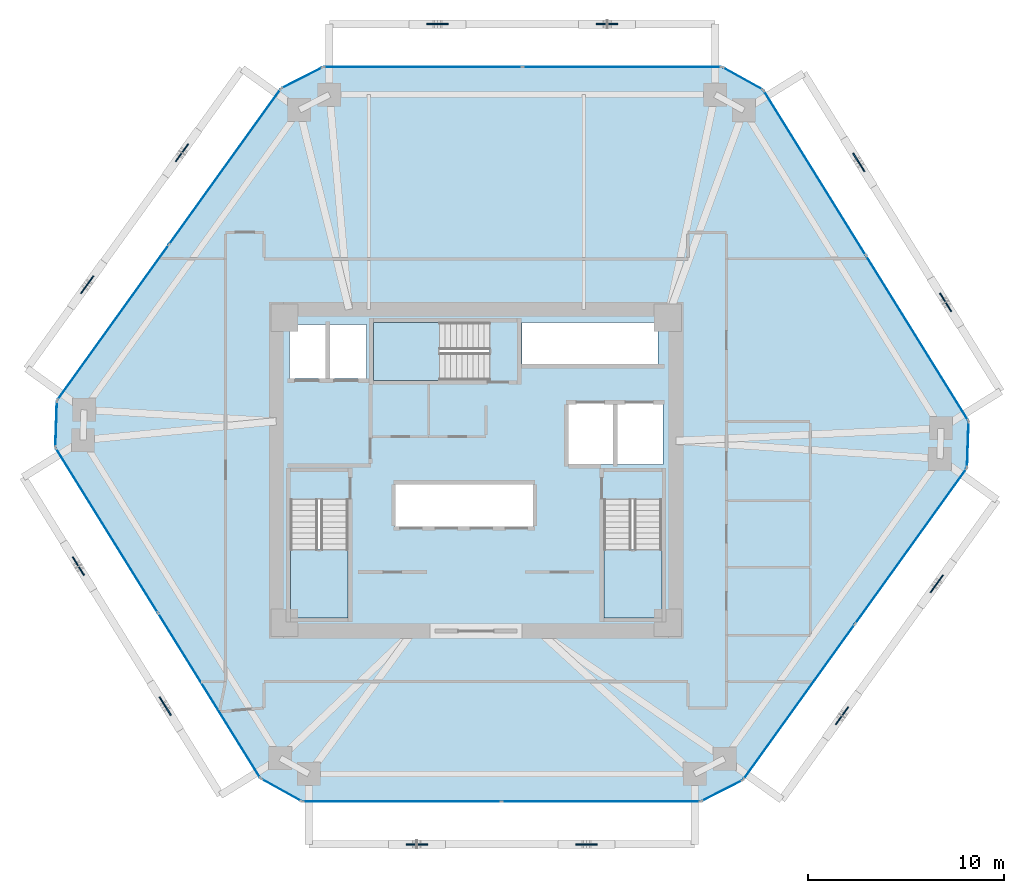
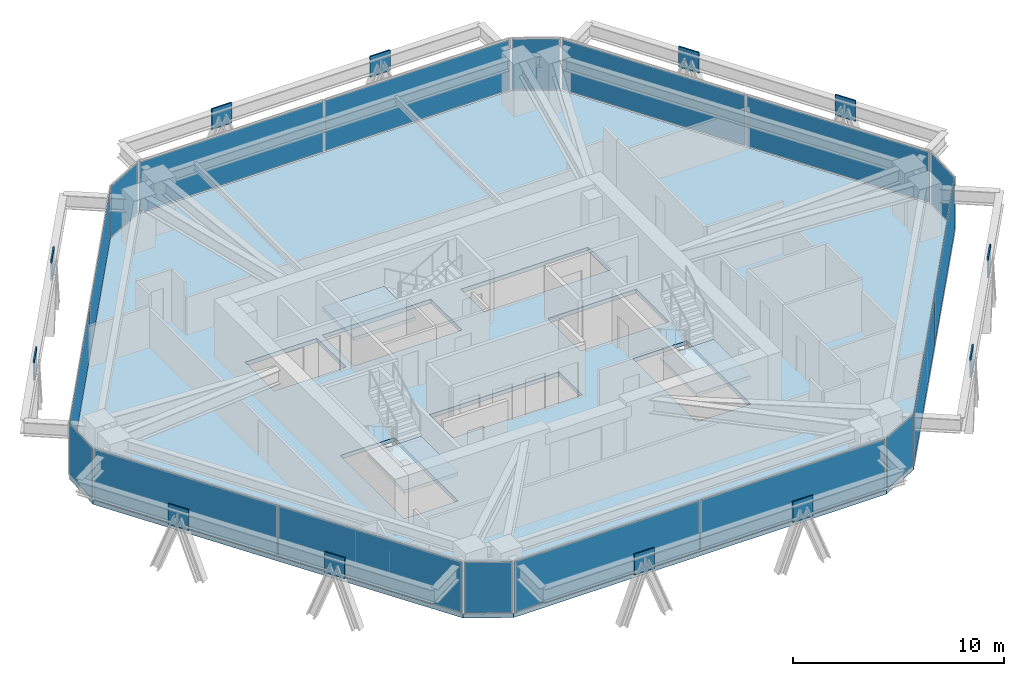
# One storey, part 9 of 15: 30 plates, 4 slabs, 15 elements without a shape of their own.
"""IFC4 building model written with IfcOpenShell, lengths in metres."""

from ifc_helpers import new_model, si_unit, direction, frame, origin, origin_2d, place, context, subcontext, project, spatial, polyline, rectangle, outline, extrude, source, transform, mapped, material, layer, layer_set, type_object, type_shapes, element, aggregate, save


model = new_model("IFC4")

# Units and contexts
model_context = context("Model", 3, precision=1e-05, world=origin(), true_north=direction((0.0, 1.0)))
body_context = subcontext(model_context, "Body", "Model", "MODEL_VIEW")
ifc_project = project(units=[si_unit("LENGTHUNIT", "METRE"), si_unit("AREAUNIT", "SQUARE_METRE"), si_unit("VOLUMEUNIT", "CUBIC_METRE"), si_unit("PLANEANGLEUNIT", "RADIAN"), si_unit("MASSUNIT", "GRAM", prefix="KILO")], contexts=[model_context])

# Site, building, storey
site_placement = place(None, origin())
site = spatial("IfcSite", under=ifc_project, at=site_placement, CompositionType="ELEMENT")
building_placement = place(site_placement, origin())
building = spatial("IfcBuilding", under=site, at=building_placement, Name="Durnholm Broadcast Tower", CompositionType="ELEMENT")
storey_placement = place(building_placement, frame((0.0, 0.0, 104.10009765625)))
storey = spatial("IfcBuildingStorey", under=building, at=storey_placement, Name="L27", CompositionType="ELEMENT", Elevation=104.10009765625)

# Slab
ifc_material_1 = material(Name="Concrete C50/60", Category="concrete")
ifc_layer_1 = layer(ifc_material_1, 0.239990234375)
ifc_layer_set_1 = layer_set([ifc_layer_1], Name="Concrete C50/60")
slab_type_1 = type_object("IfcSlabType", Name="SLAB-FLR-240", PredefinedType="FLOOR", material=ifc_layer_set_1)
slab_1_placement = place(storey_placement, frame((0.0, 0.0, -0.239990234375)))
element("IfcSlab", 1, at=slab_1_placement, inside=storey, type_object=slab_type_1, Name="L27 structural floor slab", PredefinedType="FLOOR", context=body_context, shape_type="SweptSolid", body=[
    extrude(outline(polyline([(-11.012451171875, -15.77001953125), (-8.915283203125, -16.93701171875), (11.51416015625, -16.93701171875), (13.649658203125, -15.841796875), (25.11279296875, 0.114990234375), (25.1943359375, 2.513671875), (14.6904296875, 19.447998046875), (12.59326171875, 20.614990234375), (-7.836181640625, 20.614990234375), (-9.9716796875, 19.519775390625), (-21.434814453125, 3.56298828125), (-21.516357421875, 1.164306640625), (-11.012451171875, -15.77001953125)]), holes=[polyline([(-6.5400390625, -1.5), (-9.5, -1.5), (-9.5, -7.550048828125), (-6.5400390625, -7.550048828125), (-6.5400390625, -1.5)]), polyline([(9.5, -7.550048828125), (9.5, -1.5), (6.5400390625, -1.5), (6.5400390625, -7.550048828125), (9.5, -7.550048828125)]), polyline([(2.949951171875, -0.699951171875), (-4.14990234375, -0.699951171875), (-4.14990234375, -2.89990234375), (2.949951171875, -2.89990234375), (2.949951171875, -0.699951171875)]), polyline([(9.550048828125, 3.39990234375), (4.699951171875, 3.39990234375), (4.699951171875, 0.300048828125), (9.550048828125, 0.300048828125), (9.550048828125, 3.39990234375)]), polyline([(-5.60009765625, 7.449951171875), (-9.550048828125, 7.449951171875), (-9.550048828125, 4.699951171875), (-5.60009765625, 4.699951171875), (-5.60009765625, 7.449951171875)]), polyline([(-5.25, 4.60009765625), (0.699951171875, 4.60009765625), (0.699951171875, 7.56005859375), (-5.25, 7.56005859375), (-5.25, 4.60009765625)]), polyline([(9.31005859375, 7.550048828125), (2.35009765625, 7.550048828125), (2.35009765625, 5.39990234375), (9.31005859375, 5.39990234375), (9.31005859375, 7.550048828125)])]), origin(), (0.0, 0.0, 1.0), 0.239990234375),
])

# Stair, slab
stair_type = type_object("IfcStairType", Name="STAIR-DL-20R1650", PredefinedType="HALF_TURN_STAIR", material=ifc_material_1)
stair_1_placement = place(storey_placement, origin())
stair_1 = element("IfcStair", 2, at=stair_1_placement, inside=storey, type_object=stair_type, Name="L27 ST-1", PredefinedType="HALF_TURN_STAIR")
ifc_layer_2 = layer(ifc_material_1, 0.199951171875)
ifc_layer_set_2 = layer_set([ifc_layer_2], Name="Concrete C50/60")
slab_type_2 = type_object("IfcSlabType", Name="SLAB-LND-200", PredefinedType="LANDING", material=ifc_layer_set_2)
slab_2_placement = place(storey_placement, frame((0.0, 0.0, 1.449951171875)))
slab_2 = element("IfcSlab", 3, at=slab_2_placement, type_object=slab_type_2, Name="ST-1 landing 1", PredefinedType="LANDING", context=body_context, shape_type="SweptSolid", body=[
    extrude(outline(polyline([(-9.5, -4.06494140625), (-9.5, -7.550048828125), (-6.5400390625, -7.550048828125), (-6.5400390625, -4.06494140625), (-9.5, -4.06494140625)])), origin(), (0.0, 0.0, 1.0), 0.199951171875),
])
aggregate(stair_1, [slab_2])

stair_2_placement = place(storey_placement, origin())
stair_2 = element("IfcStair", 4, at=stair_2_placement, inside=storey, type_object=stair_type, Name="L27 ST-2", PredefinedType="HALF_TURN_STAIR")
slab_3_placement = place(storey_placement, frame((0.0, 0.0, 1.449951171875)))
slab_3 = element("IfcSlab", 5, at=slab_3_placement, type_object=slab_type_2, Name="ST-2 landing 1", PredefinedType="LANDING", context=body_context, shape_type="SweptSolid", body=[
    extrude(outline(polyline([(6.5400390625, -4.06494140625), (6.5400390625, -7.550048828125), (9.5, -7.550048828125), (9.5, -4.06494140625), (6.5400390625, -4.06494140625)])), origin(), (0.0, 0.0, 1.0), 0.199951171875),
])
aggregate(stair_2, [slab_3])

stair_3_placement = place(storey_placement, origin())
stair_3 = element("IfcStair", 6, at=stair_3_placement, inside=storey, type_object=stair_type, Name="L27 ST-3", PredefinedType="HALF_TURN_STAIR")
slab_4_placement = place(storey_placement, frame((0.0, 0.0, 1.449951171875)))
slab_4 = element("IfcSlab", 7, at=slab_4_placement, type_object=slab_type_2, Name="ST-3 landing 1", PredefinedType="LANDING", context=body_context, shape_type="SweptSolid", body=[
    extrude(outline(polyline([(-1.864990234375, 7.56005859375), (-5.25, 7.56005859375), (-5.25, 4.60009765625), (-1.864990234375, 4.60009765625), (-1.864990234375, 7.56005859375)])), origin(), (0.0, 0.0, 1.0), 0.199951171875),
])
aggregate(stair_3, [slab_4])

# Plates
ifc_material_2 = material(Name="Steel ASTM A572 Grade 50", Category="steel")
ifc_layer_3 = layer(ifc_material_2, 0.070068359375)
ifc_layer_set_3 = layer_set([ifc_layer_3], Name="Steel ASTM A572 Grade 50")
plate_type_1 = type_object("IfcPlateType", Name="PLT-KN05-GUS", PredefinedType="USERDEFINED", material=ifc_layer_set_3)
shared_shape_1 = source(origin(), body_context, "Body", "SweptSolid", [
    extrude(rectangle(XDim=1.10009765625, YDim=0.070068359375, at=origin_2d()), origin(), (0.0, 0.0, 1.0), 1.199951171875),
])
type_shapes(plate_type_1, [shared_shape_1])
for number, where, z_axis, x_axis, name in (
    (8, (-3.028076171875, -19.136962890625, 1.70849609375), (0.0, 0.0, 1.0), (1.0, 0.0, 0.0), "L27 welded diagrid node gusset plate KN05 F1"),
    (9, (5.65234375, -19.136962890625, 1.70849609375), (0.0, 0.0, 1.0), (1.0, 0.0, 0.0), "L27 welded diagrid node gusset plate KN05 F1"),
    (10, (18.71875, -12.556396484375, 1.70849609375), (0.0, 0.0, 1.0), (0.583399467156, 0.812185361677, 0.0), "L27 welded diagrid node gusset plate KN05 F2"),
    (11, (23.56689453125, -5.807861328125, 1.70849609375), (0.0, 0.0, 1.0), (0.583399467156, 0.812185361677, 0.0), "L27 welded diagrid node gusset plate KN05 F2"),
    (12, (24.01513671875, 8.58837890625, 1.70849609375), (0.0, 0.0, 1.0), (-0.527104121728, 0.849800708906, 0.0), "L27 welded diagrid node gusset plate KN05 F3"),
    (13, (19.576416015625, 15.74462890625, 1.70849609375), (0.0, 0.0, 1.0), (-0.527104121728, 0.849800708906, 0.0), "L27 welded diagrid node gusset plate KN05 F3"),
    (14, (6.7060546875, 22.81494140625, 1.70849609375), (0.0, 0.0, 1.0), (-1.0, 0.0, 0.0), "L27 welded diagrid node gusset plate KN05 F4"),
    (15, (-1.974365234375, 22.81494140625, 1.70849609375), (0.0, 0.0, 1.0), (-1.0, 0.0, 0.0), "L27 welded diagrid node gusset plate KN05 F4"),
    (16, (-15.040771484375, 16.234375, 1.70849609375), (0.0, 0.0, 1.0), (-0.583399467156, -0.812185361677, 0.0), "L27 welded diagrid node gusset plate KN05 F5"),
    (17, (-19.888916015625, 9.48583984375, 1.70849609375), (0.0, 0.0, 1.0), (-0.583399467156, -0.812185361677, 0.0), "L27 welded diagrid node gusset plate KN05 F5"),
    (18, (-20.337158203125, -4.910400390625, 1.70849609375), (0.0, 0.0, 1.0), (0.527104121728, -0.849800708906, 0.0), "L27 welded diagrid node gusset plate KN05 F6"),
    (19, (-15.898193359375, -12.066650390625, 1.70849609375), (0.0, 0.0, 1.0), (0.527104121728, -0.849800708906, 0.0), "L27 welded diagrid node gusset plate KN05 F6"),
):
    element("IfcPlate", number, at=place(storey_placement, frame(where, z_axis=z_axis, x_axis=x_axis)), inside=storey, type_object=plate_type_1, Name=name, ObjectType="GUSSET_PLATE", PredefinedType="USERDEFINED", context=body_context, shape_type="MappedRepresentation", body=[
        mapped(shared_shape_1, transform((0.0, 0.0, 0.0), x_axis=(1.0, 0.0, 0.0), y_axis=(0.0, 1.0, 0.0), z_axis=(0.0, 0.0, 1.0), scale=1.0)),
    ])

# Curtain wall, plate
ifc_material_3 = material(Name="Aluminium and Solar Control IGU", Category="aluminium")
ifc_layer_4 = layer(ifc_material_3, 0.1650390625)
ifc_layer_set_4 = layer_set([ifc_layer_4], Name="Aluminium and Solar Control IGU")
curtain_wall_type_1 = type_object("IfcCurtainWallType", Name="CW-SYS-5", PredefinedType="NOTDEFINED", material=ifc_layer_set_4)
curtain_wall_1_placement = place(storey_placement, origin())
curtain_wall_1 = element("IfcCurtainWall", 20, at=curtain_wall_1_placement, inside=storey, type_object=curtain_wall_type_1, Name="L27 curtain wall CW-CORNER CW-L27-CRN-01", PredefinedType="NOTDEFINED")
ifc_material_4 = material(Name="Low-E Laminated Insulating Glass", Category="glass")
ifc_layer_5 = layer(ifc_material_4, 0.030029296875)
ifc_layer_set_5 = layer_set([ifc_layer_5], Name="Low-E Laminated Insulating Glass")
plate_type_2 = type_object("IfcPlateType", Name="CW-SYS-5-PNL", PredefinedType="CURTAIN_PANEL", material=ifc_layer_set_5)
shared_shape_2 = source(origin(), body_context, "Body", "SweptSolid", [
    extrude(rectangle(XDim=2.27001953125, YDim=0.030029296875, at=origin_2d()), origin(), (0.0, 0.0, 1.0), 2.929931640625),
])
type_shapes(plate_type_2, [shared_shape_2])
plate_1_placement = place(storey_placement, frame((-21.4755859375, 2.36376953125, 0.06494140625), z_axis=(0.0, 0.0, 1.0), x_axis=(0.033916937775, 0.999424655155, 0.0)))
plate_1 = element("IfcPlate", 21, at=plate_1_placement, type_object=plate_type_2, Name="CW-CORNER panel 1.1", PredefinedType="CURTAIN_PANEL", context=body_context, shape_type="MappedRepresentation", body=[
    mapped(shared_shape_2, transform((0.0, 0.0, 0.0), x_axis=(1.0, 0.0, 0.0), y_axis=(0.0, 1.0, 0.0), z_axis=(0.0, 0.0, 1.0), scale=1.0)),
])
aggregate(curtain_wall_1, [plate_1])

curtain_wall_2_placement = place(storey_placement, origin())
curtain_wall_2 = element("IfcCurtainWall", 22, at=curtain_wall_2_placement, inside=storey, type_object=curtain_wall_type_1, Name="L27 curtain wall CW-CORNER CW-L27-CRN-03", PredefinedType="NOTDEFINED")
plate_2_placement = place(storey_placement, frame((-8.904052734375, 20.0673828125, 0.06494140625), z_axis=(0.0, 0.0, 1.0), x_axis=(0.889788396392, 0.45637332267, 0.0)))
plate_2 = element("IfcPlate", 23, at=plate_2_placement, type_object=plate_type_2, Name="CW-CORNER panel 1.1", PredefinedType="CURTAIN_PANEL", context=body_context, shape_type="MappedRepresentation", body=[
    mapped(shared_shape_2, transform((0.0, 0.0, 0.0), x_axis=(1.0, 0.0, 0.0), y_axis=(0.0, 1.0, 0.0), z_axis=(0.0, 0.0, 1.0), scale=1.0)),
])
aggregate(curtain_wall_2, [plate_2])

curtain_wall_3_placement = place(storey_placement, origin())
curtain_wall_3 = element("IfcCurtainWall", 24, at=curtain_wall_3_placement, inside=storey, type_object=curtain_wall_type_1, Name="L27 curtain wall CW-CORNER CW-L27-CRN-05", PredefinedType="NOTDEFINED")
plate_3_placement = place(storey_placement, frame((13.641845703125, 20.031494140625, 0.06494140625), z_axis=(0.0, 0.0, 1.0), x_axis=(0.873822953715, -0.486244224192, 0.0)))
plate_3 = element("IfcPlate", 25, at=plate_3_placement, type_object=plate_type_2, Name="CW-CORNER panel 1.1", PredefinedType="CURTAIN_PANEL", context=body_context, shape_type="MappedRepresentation", body=[
    mapped(shared_shape_2, transform((0.0, 0.0, 0.0), x_axis=(1.0, 0.0, 0.0), y_axis=(0.0, 1.0, 0.0), z_axis=(0.0, 0.0, 1.0), scale=1.0)),
])
aggregate(curtain_wall_3, [plate_3])

curtain_wall_4_placement = place(storey_placement, origin())
curtain_wall_4 = element("IfcCurtainWall", 26, at=curtain_wall_4_placement, inside=storey, type_object=curtain_wall_type_1, Name="L27 curtain wall CW-CORNER CW-L27-CRN-07", PredefinedType="NOTDEFINED")
plate_4_placement = place(storey_placement, frame((25.153564453125, 1.314208984375, 0.06494140625), z_axis=(0.0, 0.0, 1.0), x_axis=(-0.033916937775, -0.999424655155, 0.0)))
plate_4 = element("IfcPlate", 27, at=plate_4_placement, type_object=plate_type_2, Name="CW-CORNER panel 1.1", PredefinedType="CURTAIN_PANEL", context=body_context, shape_type="MappedRepresentation", body=[
    mapped(shared_shape_2, transform((0.0, 0.0, 0.0), x_axis=(1.0, 0.0, 0.0), y_axis=(0.0, 1.0, 0.0), z_axis=(0.0, 0.0, 1.0), scale=1.0)),
])
aggregate(curtain_wall_4, [plate_4])

curtain_wall_5_placement = place(storey_placement, origin())
curtain_wall_5 = element("IfcCurtainWall", 28, at=curtain_wall_5_placement, inside=storey, type_object=curtain_wall_type_1, Name="L27 curtain wall CW-CORNER CW-L27-CRN-09", PredefinedType="NOTDEFINED")
plate_5_placement = place(storey_placement, frame((12.58203125, -16.389404296875, 0.06494140625), z_axis=(0.0, 0.0, 1.0), x_axis=(-0.889788396392, -0.45637332267, 0.0)))
plate_5 = element("IfcPlate", 29, at=plate_5_placement, type_object=plate_type_2, Name="CW-CORNER panel 1.1", PredefinedType="CURTAIN_PANEL", context=body_context, shape_type="MappedRepresentation", body=[
    mapped(shared_shape_2, transform((0.0, 0.0, 0.0), x_axis=(1.0, 0.0, 0.0), y_axis=(0.0, 1.0, 0.0), z_axis=(0.0, 0.0, 1.0), scale=1.0)),
])
aggregate(curtain_wall_5, [plate_5])

curtain_wall_6_placement = place(storey_placement, origin())
curtain_wall_6 = element("IfcCurtainWall", 30, at=curtain_wall_6_placement, inside=storey, type_object=curtain_wall_type_1, Name="L27 curtain wall CW-CORNER CW-L27-CRN-11", PredefinedType="NOTDEFINED")
plate_6_placement = place(storey_placement, frame((-9.9638671875, -16.353515625, 0.06494140625), z_axis=(0.0, 0.0, 1.0), x_axis=(-0.873822953715, 0.486244224192, 0.0)))
plate_6 = element("IfcPlate", 31, at=plate_6_placement, type_object=plate_type_2, Name="CW-CORNER panel 1.1", PredefinedType="CURTAIN_PANEL", context=body_context, shape_type="MappedRepresentation", body=[
    mapped(shared_shape_2, transform((0.0, 0.0, 0.0), x_axis=(1.0, 0.0, 0.0), y_axis=(0.0, 1.0, 0.0), z_axis=(0.0, 0.0, 1.0), scale=1.0)),
])
aggregate(curtain_wall_6, [plate_6])

# Curtain wall, plates
ifc_layer_6 = layer(ifc_material_3, 0.18994140625)
ifc_layer_set_6 = layer_set([ifc_layer_6], Name="Aluminium and Solar Control IGU")
curtain_wall_type_2 = type_object("IfcCurtainWallType", Name="CW-SYS-3", PredefinedType="NOTDEFINED", material=ifc_layer_set_6)
curtain_wall_7_placement = place(storey_placement, origin())
curtain_wall_7 = element("IfcCurtainWall", 32, at=curtain_wall_7_placement, inside=storey, type_object=curtain_wall_type_2, Name="L27 curtain wall CW-Z12-VIS CW-L27-F02", PredefinedType="NOTDEFINED")
ifc_layer_7 = layer(ifc_material_4, 0.031982421875)
ifc_layer_set_7 = layer_set([ifc_layer_7], Name="Low-E Laminated Insulating Glass")
plate_type_3 = type_object("IfcPlateType", Name="CW-SYS-3-PNL", PredefinedType="CURTAIN_PANEL", material=ifc_layer_set_7)
shared_shape_3 = source(origin(), body_context, "Body", "SweptSolid", [
    extrude(rectangle(XDim=9.71875, YDim=0.031982421875, at=origin_2d()), origin(), (0.0, 0.0, 1.0), 2.919921875),
])
plate_7_placement = place(storey_placement, frame((-18.558837890625, 7.56640625, 0.06982421875), z_axis=(0.0, 0.0, 1.0), x_axis=(0.583445473786, 0.812152312759, 0.0)))
plate_7 = element("IfcPlate", 33, at=plate_7_placement, type_object=plate_type_3, Name="CW-Z12-VIS panel 1.1", PredefinedType="CURTAIN_PANEL", context=body_context, shape_type="MappedRepresentation", body=[
    mapped(shared_shape_3, transform((0.0, 0.0, 0.0), x_axis=(1.0, 0.0, 0.0), y_axis=(0.0, 1.0, 0.0), z_axis=(0.0, 0.0, 1.0), scale=1.0)),
])
plate_8_placement = place(storey_placement, frame((-12.84765625, 15.516357421875, 0.06982421875), z_axis=(0.0, 0.0, 1.0), x_axis=(0.583445473786, 0.812152312759, 0.0)))
plate_8 = element("IfcPlate", 34, at=plate_8_placement, type_object=plate_type_3, Name="CW-Z12-VIS panel 2.1", PredefinedType="CURTAIN_PANEL", context=body_context, shape_type="MappedRepresentation", body=[
    mapped(shared_shape_3, transform((0.0, 0.0, 0.0), x_axis=(1.0, 0.0, 0.0), y_axis=(0.0, 1.0, 0.0), z_axis=(0.0, 0.0, 1.0), scale=1.0)),
])
aggregate(curtain_wall_7, [plate_7, plate_8])

curtain_wall_8_placement = place(storey_placement, origin())
curtain_wall_8 = element("IfcCurtainWall", 35, at=curtain_wall_8_placement, inside=storey, type_object=curtain_wall_type_2, Name="L27 curtain wall CW-Z12-VIS CW-L27-F08", PredefinedType="NOTDEFINED")
plate_9_placement = place(storey_placement, frame((22.23681640625, -3.888427734375, 0.06982421875), z_axis=(0.0, 0.0, 1.0), x_axis=(-0.583445473786, -0.812152312759, 0.0)))
plate_9 = element("IfcPlate", 36, at=plate_9_placement, type_object=plate_type_3, Name="CW-Z12-VIS panel 1.1", PredefinedType="CURTAIN_PANEL", context=body_context, shape_type="MappedRepresentation", body=[
    mapped(shared_shape_3, transform((0.0, 0.0, 0.0), x_axis=(1.0, 0.0, 0.0), y_axis=(0.0, 1.0, 0.0), z_axis=(0.0, 0.0, 1.0), scale=1.0)),
])
plate_10_placement = place(storey_placement, frame((16.525634765625, -11.83837890625, 0.06982421875), z_axis=(0.0, 0.0, 1.0), x_axis=(-0.583445473786, -0.812152312759, 0.0)))
plate_10 = element("IfcPlate", 37, at=plate_10_placement, type_object=plate_type_3, Name="CW-Z12-VIS panel 2.1", PredefinedType="CURTAIN_PANEL", context=body_context, shape_type="MappedRepresentation", body=[
    mapped(shared_shape_3, transform((0.0, 0.0, 0.0), x_axis=(1.0, 0.0, 0.0), y_axis=(0.0, 1.0, 0.0), z_axis=(0.0, 0.0, 1.0), scale=1.0)),
])
aggregate(curtain_wall_8, [plate_9, plate_10])

curtain_wall_9_placement = place(storey_placement, origin())
curtain_wall_9 = element("IfcCurtainWall", 38, at=curtain_wall_9_placement, inside=storey, type_object=curtain_wall_type_2, Name="L27 curtain wall CW-Z12-VIS CW-L27-F04", PredefinedType="NOTDEFINED")
shared_shape_4 = source(origin(), body_context, "Body", "SweptSolid", [
    extrude(rectangle(XDim=10.109619140625, YDim=0.031982421875, at=origin_2d()), origin(), (0.0, 0.0, 1.0), 2.919921875),
])
plate_11_placement = place(storey_placement, frame((-2.71142578125, 20.614990234375, 0.06982421875), z_axis=(0.0, 0.0, 1.0), x_axis=(1.0, 0.0, 0.0)))
plate_11 = element("IfcPlate", 39, at=plate_11_placement, type_object=plate_type_3, Name="CW-Z12-VIS panel 1.1", PredefinedType="CURTAIN_PANEL", context=body_context, shape_type="MappedRepresentation", body=[
    mapped(shared_shape_4, transform((0.0, 0.0, 0.0), x_axis=(1.0, 0.0, 0.0), y_axis=(0.0, 1.0, 0.0), z_axis=(0.0, 0.0, 1.0), scale=1.0)),
])
plate_12_placement = place(storey_placement, frame((7.46826171875, 20.614990234375, 0.06982421875), z_axis=(0.0, 0.0, 1.0), x_axis=(1.0, 0.0, 0.0)))
plate_12 = element("IfcPlate", 40, at=plate_12_placement, type_object=plate_type_3, Name="CW-Z12-VIS panel 2.1", PredefinedType="CURTAIN_PANEL", context=body_context, shape_type="MappedRepresentation", body=[
    mapped(shared_shape_4, transform((0.0, 0.0, 0.0), x_axis=(1.0, 0.0, 0.0), y_axis=(0.0, 1.0, 0.0), z_axis=(0.0, 0.0, 1.0), scale=1.0)),
])
aggregate(curtain_wall_9, [plate_11, plate_12])

curtain_wall_10_placement = place(storey_placement, origin())
curtain_wall_10 = element("IfcCurtainWall", 41, at=curtain_wall_10_placement, inside=storey, type_object=curtain_wall_type_2, Name="L27 curtain wall CW-Z12-VIS CW-L27-F10", PredefinedType="NOTDEFINED")
plate_13_placement = place(storey_placement, frame((6.389404296875, -16.93701171875, 0.06982421875), z_axis=(0.0, 0.0, 1.0), x_axis=(-1.0, 0.0, 0.0)))
plate_13 = element("IfcPlate", 42, at=plate_13_placement, type_object=plate_type_3, Name="CW-Z12-VIS panel 1.1", PredefinedType="CURTAIN_PANEL", context=body_context, shape_type="MappedRepresentation", body=[
    mapped(shared_shape_4, transform((0.0, 0.0, 0.0), x_axis=(1.0, 0.0, 0.0), y_axis=(0.0, 1.0, 0.0), z_axis=(0.0, 0.0, 1.0), scale=1.0)),
])
plate_14_placement = place(storey_placement, frame((-3.790283203125, -16.93701171875, 0.06982421875), z_axis=(0.0, 0.0, 1.0), x_axis=(-1.0, 0.0, 0.0)))
plate_14 = element("IfcPlate", 43, at=plate_14_placement, type_object=plate_type_3, Name="CW-Z12-VIS panel 2.1", PredefinedType="CURTAIN_PANEL", context=body_context, shape_type="MappedRepresentation", body=[
    mapped(shared_shape_4, transform((0.0, 0.0, 0.0), x_axis=(1.0, 0.0, 0.0), y_axis=(0.0, 1.0, 0.0), z_axis=(0.0, 0.0, 1.0), scale=1.0)),
])
aggregate(curtain_wall_10, [plate_13, plate_14])

curtain_wall_11_placement = place(storey_placement, origin())
curtain_wall_11 = element("IfcCurtainWall", 44, at=curtain_wall_11_placement, inside=storey, type_object=curtain_wall_type_2, Name="L27 curtain wall CW-Z12-VIS CW-L27-F06", PredefinedType="NOTDEFINED")
shared_shape_5 = source(origin(), body_context, "Body", "SweptSolid", [
    extrude(rectangle(XDim=9.858642578125, YDim=0.031982421875, at=origin_2d()), origin(), (0.0, 0.0, 1.0), 2.919921875),
])
type_shapes(plate_type_3, [shared_shape_3, shared_shape_4, shared_shape_5])
plate_15_placement = place(storey_placement, frame((17.32568359375, 15.199462890625, 0.06982421875), z_axis=(0.0, 0.0, 1.0), x_axis=(0.527105385176, -0.849799925229, 0.0)))
plate_15 = element("IfcPlate", 45, at=plate_15_placement, type_object=plate_type_3, Name="CW-Z12-VIS panel 1.1", PredefinedType="CURTAIN_PANEL", context=body_context, shape_type="MappedRepresentation", body=[
    mapped(shared_shape_5, transform((0.0, 0.0, 0.0), x_axis=(1.0, 0.0, 0.0), y_axis=(0.0, 1.0, 0.0), z_axis=(0.0, 0.0, 1.0), scale=1.0)),
])
plate_16_placement = place(storey_placement, frame((22.55908203125, 6.761962890625, 0.06982421875), z_axis=(0.0, 0.0, 1.0), x_axis=(0.527105385176, -0.849799925229, 0.0)))
plate_16 = element("IfcPlate", 46, at=plate_16_placement, type_object=plate_type_3, Name="CW-Z12-VIS panel 2.1", PredefinedType="CURTAIN_PANEL", context=body_context, shape_type="MappedRepresentation", body=[
    mapped(shared_shape_5, transform((0.0, 0.0, 0.0), x_axis=(1.0, 0.0, 0.0), y_axis=(0.0, 1.0, 0.0), z_axis=(0.0, 0.0, 1.0), scale=1.0)),
])
aggregate(curtain_wall_11, [plate_15, plate_16])

curtain_wall_12_placement = place(storey_placement, origin())
curtain_wall_12 = element("IfcCurtainWall", 47, at=curtain_wall_12_placement, inside=storey, type_object=curtain_wall_type_2, Name="L27 curtain wall CW-Z12-VIS CW-L27-F12", PredefinedType="NOTDEFINED")
plate_17_placement = place(storey_placement, frame((-13.647705078125, -11.521484375, 0.06982421875), z_axis=(0.0, 0.0, 1.0), x_axis=(-0.527105385176, 0.849799925229, 0.0)))
plate_17 = element("IfcPlate", 48, at=plate_17_placement, type_object=plate_type_3, Name="CW-Z12-VIS panel 1.1", PredefinedType="CURTAIN_PANEL", context=body_context, shape_type="MappedRepresentation", body=[
    mapped(shared_shape_5, transform((0.0, 0.0, 0.0), x_axis=(1.0, 0.0, 0.0), y_axis=(0.0, 1.0, 0.0), z_axis=(0.0, 0.0, 1.0), scale=1.0)),
])
plate_18_placement = place(storey_placement, frame((-18.881103515625, -3.083984375, 0.06982421875), z_axis=(0.0, 0.0, 1.0), x_axis=(-0.527105385176, 0.849799925229, 0.0)))
plate_18 = element("IfcPlate", 49, at=plate_18_placement, type_object=plate_type_3, Name="CW-Z12-VIS panel 2.1", PredefinedType="CURTAIN_PANEL", context=body_context, shape_type="MappedRepresentation", body=[
    mapped(shared_shape_5, transform((0.0, 0.0, 0.0), x_axis=(1.0, 0.0, 0.0), y_axis=(0.0, 1.0, 0.0), z_axis=(0.0, 0.0, 1.0), scale=1.0)),
])
aggregate(curtain_wall_12, [plate_17, plate_18])

save(model, "model.ifc")
